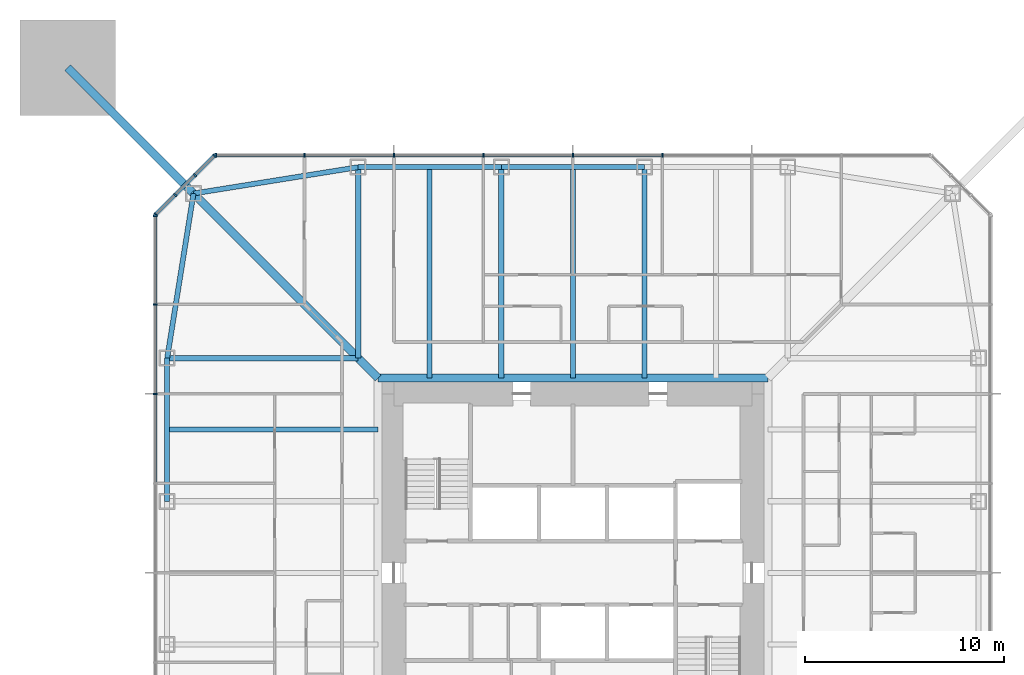
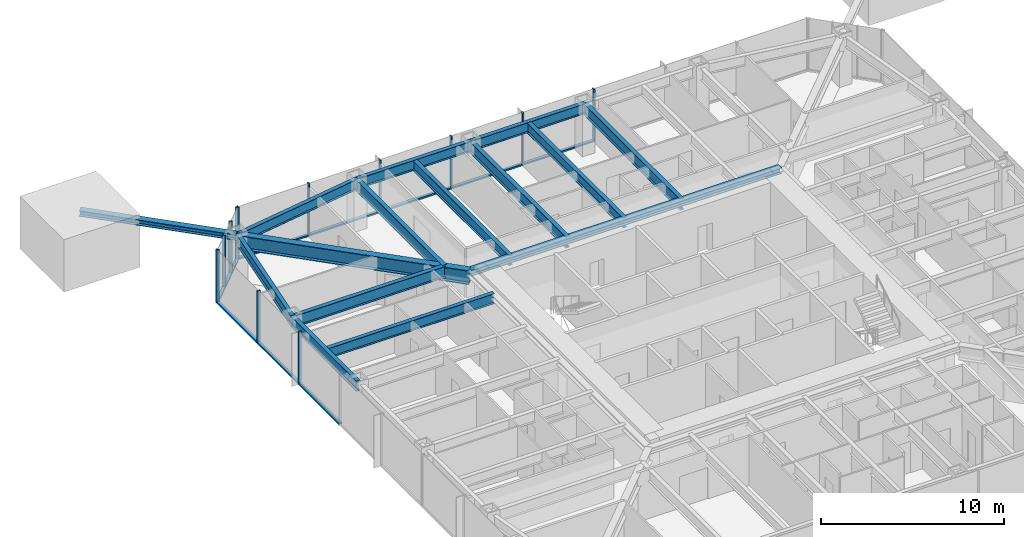
# One storey, part 4 of 14: 25 members, 14 beams, 3 elements without a shape of their own.
"""IFC4 building model written with IfcOpenShell, lengths in metres."""

from ifc_helpers import new_model, si_unit, direction, frame, origin, origin_2d, place, context, subcontext, project, spatial, rectangle, i_section, extrude, material, material_profile, profile_set, type_object, element, aggregate, save


model = new_model("IFC4")

# Units and contexts
model_context = context("Model", 3, precision=1e-05, world=origin(), true_north=direction((0.0, 1.0)))
body_context = subcontext(model_context, "Body", "Model", "MODEL_VIEW")
ifc_project = project(units=[si_unit("LENGTHUNIT", "METRE"), si_unit("AREAUNIT", "SQUARE_METRE"), si_unit("VOLUMEUNIT", "CUBIC_METRE"), si_unit("PLANEANGLEUNIT", "RADIAN"), si_unit("MASSUNIT", "GRAM", prefix="KILO")], contexts=[model_context])

# Site, building, storey
site_placement = place(None, origin())
site = spatial("IfcSite", under=ifc_project, at=site_placement, CompositionType="ELEMENT")
building_placement = place(site_placement, origin())
building = spatial("IfcBuilding", under=site, at=building_placement, Name="Iwan Alto Co-Living Towers", CompositionType="ELEMENT")
storey_placement = place(building_placement, frame((0.0, 0.0, 136.5)))
storey = spatial("IfcBuildingStorey", under=building, at=storey_placement, Name="L37", CompositionType="ELEMENT", Elevation=136.5)

# Curtain wall, members
ifc_material_1 = material(Name="Bronze aluminium unitised frame", Category="aluminium")
curtain_wall_type_1 = type_object("IfcCurtainWallType", Name="CURTAIN WALL CW-A", PredefinedType="NOTDEFINED", material=ifc_material_1)
curtain_wall_1_placement = place(storey_placement, origin())
curtain_wall_1 = element("IfcCurtainWall", 1, at=curtain_wall_1_placement, inside=storey, type_object=curtain_wall_type_1, Name="T1 curtain wall N L37", PredefinedType="NOTDEFINED")
ifc_material_2 = material(Name="Aluminium 6063-T6 bronze anodised", Category="aluminium")
ifc_material_profile_1 = material_profile(ifc_material_2, rectangle(XDim=0.199951171875, YDim=0.080078125, at=origin_2d()), Name="AL 80X200")
ifc_profile_set_1 = profile_set([ifc_material_profile_1], Name="Aluminium 6063-T6 bronze anodised")
member_type_1 = type_object("IfcMemberType", Name="CW-A MULLION 80X200", PredefinedType="MULLION", material=ifc_profile_set_1)
member_1_placement = place(storey_placement, frame((4.5, 21.0, 0.0), z_axis=(0.0, 0.0, 1.0), x_axis=(0.0, -1.0, 0.0)))
member_1 = element("IfcMember", 2, at=member_1_placement, type_object=member_type_1, Name="CW-A mullion 4", PredefinedType="MULLION", context=body_context, shape_type="SweptSolid", body=[
    extrude(rectangle(XDim=0.199951171875, YDim=0.080078125, at=origin_2d()), origin(), (0.0, 0.0, 1.0), 3.5),
])
member_2_placement = place(storey_placement, frame((0.0, 21.0, 0.0), z_axis=(0.0, 0.0, 1.0), x_axis=(0.0, -1.0, 0.0)))
member_2 = element("IfcMember", 3, at=member_2_placement, type_object=member_type_1, Name="CW-A mullion 5", PredefinedType="MULLION", context=body_context, shape_type="SweptSolid", body=[
    extrude(rectangle(XDim=0.199951171875, YDim=0.080078125, at=origin_2d()), origin(), (0.0, 0.0, 1.0), 3.5),
])
member_3_placement = place(storey_placement, frame((-4.5, 21.0, 0.0), z_axis=(0.0, 0.0, 1.0), x_axis=(0.0, -1.0, 0.0)))
member_3 = element("IfcMember", 4, at=member_3_placement, type_object=member_type_1, Name="CW-A mullion 6", PredefinedType="MULLION", context=body_context, shape_type="SweptSolid", body=[
    extrude(rectangle(XDim=0.199951171875, YDim=0.080078125, at=origin_2d()), origin(), (0.0, 0.0, 1.0), 3.5),
])
member_4_placement = place(storey_placement, frame((-9.0, 21.0, 0.0), z_axis=(0.0, 0.0, 1.0), x_axis=(0.0, -1.0, 0.0)))
member_4 = element("IfcMember", 5, at=member_4_placement, type_object=member_type_1, Name="CW-A mullion 7", PredefinedType="MULLION", context=body_context, shape_type="SweptSolid", body=[
    extrude(rectangle(XDim=0.199951171875, YDim=0.080078125, at=origin_2d()), origin(), (0.0, 0.0, 1.0), 3.5),
])
member_5_placement = place(storey_placement, frame((-13.5, 21.0, 0.0), z_axis=(0.0, 0.0, 1.0), x_axis=(0.0, -1.0, 0.0)))
member_5 = element("IfcMember", 6, at=member_5_placement, type_object=member_type_1, Name="CW-A mullion 8", PredefinedType="MULLION", context=body_context, shape_type="SweptSolid", body=[
    extrude(rectangle(XDim=0.199951171875, YDim=0.080078125, at=origin_2d()), origin(), (0.0, 0.0, 1.0), 3.5),
])
member_6_placement = place(storey_placement, frame((-17.9599609375, 21.0, 0.0), z_axis=(0.0, 0.0, 1.0), x_axis=(0.0, -1.0, 0.0)))
member_6 = element("IfcMember", 7, at=member_6_placement, type_object=member_type_1, Name="CW-A mullion 9", PredefinedType="MULLION", context=body_context, shape_type="SweptSolid", body=[
    extrude(rectangle(XDim=0.199951171875, YDim=0.080078125, at=origin_2d()), origin(), (0.0, 0.0, 1.0), 3.5),
])

curtain_wall_2_placement = place(storey_placement, origin())
curtain_wall_2 = element("IfcCurtainWall", 8, at=curtain_wall_2_placement, inside=storey, type_object=curtain_wall_type_1, Name="T1 curtain wall W L37", PredefinedType="NOTDEFINED")
member_7_placement = place(storey_placement, frame((-21.0, 17.9599609375, 0.0), z_axis=(0.0, 0.0, 1.0), x_axis=(1.0, 0.0, 0.0)))
member_7 = element("IfcMember", 9, at=member_7_placement, type_object=member_type_1, Name="CW-A mullion 1", PredefinedType="MULLION", context=body_context, shape_type="SweptSolid", body=[
    extrude(rectangle(XDim=0.199951171875, YDim=0.080078125, at=origin_2d()), origin(), (0.0, 0.0, 1.0), 3.5),
])
member_8_placement = place(storey_placement, frame((-21.0, 13.5, 0.0), z_axis=(0.0, 0.0, 1.0), x_axis=(1.0, 0.0, 0.0)))
member_8 = element("IfcMember", 10, at=member_8_placement, type_object=member_type_1, Name="CW-A mullion 2", PredefinedType="MULLION", context=body_context, shape_type="SweptSolid", body=[
    extrude(rectangle(XDim=0.199951171875, YDim=0.080078125, at=origin_2d()), origin(), (0.0, 0.0, 1.0), 3.5),
])
member_9_placement = place(storey_placement, frame((-21.0, 9.0, 0.0), z_axis=(0.0, 0.0, 1.0), x_axis=(1.0, 0.0, 0.0)))
member_9 = element("IfcMember", 11, at=member_9_placement, type_object=member_type_1, Name="CW-A mullion 3", PredefinedType="MULLION", context=body_context, shape_type="SweptSolid", body=[
    extrude(rectangle(XDim=0.199951171875, YDim=0.080078125, at=origin_2d()), origin(), (0.0, 0.0, 1.0), 3.5),
])

# Member
ifc_material_3 = material(Name="Aluminium 6063-T6 bronze anodised", Category="aluminium")
ifc_material_profile_2 = material_profile(ifc_material_3, rectangle(XDim=0.199951171875, YDim=0.10009765625, at=origin_2d()), Name="AL 200X100")
ifc_profile_set_2 = profile_set([ifc_material_profile_2], Name="Aluminium 6063-T6 bronze anodised")
member_type_2 = type_object("IfcMemberType", Name="CW-A TRANSOM 200X100", PredefinedType="USERDEFINED", material=ifc_profile_set_2)
member_10_placement = place(storey_placement, frame((4.4599609375, 21.0, 0.050048828125), z_axis=(-1.0, 0.0, 0.0), x_axis=(0.0, -1.0, 0.0)))
member_10 = element("IfcMember", 12, at=member_10_placement, type_object=member_type_2, Name="CW-A transom 4.1", ObjectType="TRANSOM", PredefinedType="USERDEFINED", context=body_context, shape_type="SweptSolid", body=[
    extrude(rectangle(XDim=0.199951171875, YDim=0.10009765625, at=origin_2d()), origin(), (0.0, 0.0, 1.0), 4.419921875),
])

member_11_placement = place(storey_placement, frame((-0.0400390625, 21.0, 0.050048828125), z_axis=(-1.0, 0.0, 0.0), x_axis=(0.0, -1.0, 0.0)))
member_11 = element("IfcMember", 13, at=member_11_placement, type_object=member_type_2, Name="CW-A transom 5.1", ObjectType="TRANSOM", PredefinedType="USERDEFINED", context=body_context, shape_type="SweptSolid", body=[
    extrude(rectangle(XDim=0.199951171875, YDim=0.10009765625, at=origin_2d()), origin(), (0.0, 0.0, 1.0), 4.419921875),
])

member_12_placement = place(storey_placement, frame((-4.5400390625, 21.0, 0.050048828125), z_axis=(-1.0, 0.0, 0.0), x_axis=(0.0, -1.0, 0.0)))
member_12 = element("IfcMember", 14, at=member_12_placement, type_object=member_type_2, Name="CW-A transom 6.1", ObjectType="TRANSOM", PredefinedType="USERDEFINED", context=body_context, shape_type="SweptSolid", body=[
    extrude(rectangle(XDim=0.199951171875, YDim=0.10009765625, at=origin_2d()), origin(), (0.0, 0.0, 1.0), 4.419921875),
])

member_13_placement = place(storey_placement, frame((-9.0400390625, 21.0, 0.050048828125), z_axis=(-1.0, 0.0, 0.0), x_axis=(0.0, -1.0, 0.0)))
member_13 = element("IfcMember", 15, at=member_13_placement, type_object=member_type_2, Name="CW-A transom 7.1", ObjectType="TRANSOM", PredefinedType="USERDEFINED", context=body_context, shape_type="SweptSolid", body=[
    extrude(rectangle(XDim=0.199951171875, YDim=0.10009765625, at=origin_2d()), origin(), (0.0, 0.0, 1.0), 4.419921875),
])

member_14_placement = place(storey_placement, frame((-13.5400390625, 21.0, 0.050048828125), z_axis=(-1.0, 0.0, 0.0), x_axis=(0.0, -1.0, 0.0)))
member_14 = element("IfcMember", 16, at=member_14_placement, type_object=member_type_2, Name="CW-A transom 8.1", ObjectType="TRANSOM", PredefinedType="USERDEFINED", context=body_context, shape_type="SweptSolid", body=[
    extrude(rectangle(XDim=0.199951171875, YDim=0.10009765625, at=origin_2d()), origin(), (0.0, 0.0, 1.0), 4.3798828125),
])

aggregate(curtain_wall_1, [member_1, member_2, member_3, member_4, member_5, member_6, member_10, member_11, member_12, member_13, member_14])

member_15_placement = place(storey_placement, frame((-21.0, 17.919921875, 0.050048828125), z_axis=(0.0, -1.0, 0.0), x_axis=(1.0, 0.0, 0.0)))
member_15 = element("IfcMember", 17, at=member_15_placement, type_object=member_type_2, Name="CW-A transom 1.1", ObjectType="TRANSOM", PredefinedType="USERDEFINED", context=body_context, shape_type="SweptSolid", body=[
    extrude(rectangle(XDim=0.199951171875, YDim=0.10009765625, at=origin_2d()), origin(), (0.0, 0.0, 1.0), 4.3798828125),
])

member_16_placement = place(storey_placement, frame((-21.0, 13.4599609375, 0.050048828125), z_axis=(0.0, -1.0, 0.0), x_axis=(1.0, 0.0, 0.0)))
member_16 = element("IfcMember", 18, at=member_16_placement, type_object=member_type_2, Name="CW-A transom 2.1", ObjectType="TRANSOM", PredefinedType="USERDEFINED", context=body_context, shape_type="SweptSolid", body=[
    extrude(rectangle(XDim=0.199951171875, YDim=0.10009765625, at=origin_2d()), origin(), (0.0, 0.0, 1.0), 4.419921875),
])

member_17_placement = place(storey_placement, frame((-21.0, 8.9599609375, 0.050048828125), z_axis=(0.0, -1.0, 0.0), x_axis=(1.0, 0.0, 0.0)))
member_17 = element("IfcMember", 19, at=member_17_placement, type_object=member_type_2, Name="CW-A transom 3.1", ObjectType="TRANSOM", PredefinedType="USERDEFINED", context=body_context, shape_type="SweptSolid", body=[
    extrude(rectangle(XDim=0.199951171875, YDim=0.10009765625, at=origin_2d()), origin(), (0.0, 0.0, 1.0), 4.419921875),
])

aggregate(curtain_wall_2, [member_7, member_8, member_9, member_15, member_16, member_17])

# Curtain wall, members
ifc_material_4 = material(Name="Bronze aluminium unitised frame", Category="aluminium")
curtain_wall_type_2 = type_object("IfcCurtainWallType", Name="CURTAIN WALL CW-B", PredefinedType="NOTDEFINED", material=ifc_material_4)
curtain_wall_3_placement = place(storey_placement, origin())
curtain_wall_3 = element("IfcCurtainWall", 20, at=curtain_wall_3_placement, inside=storey, type_object=curtain_wall_type_2, Name="T1 chamfer curtain wall NW L37", PredefinedType="NOTDEFINED")
ifc_material_5 = material(Name="Aluminium 6063-T6 bronze anodised", Category="aluminium")
ifc_material_profile_3 = material_profile(ifc_material_5, rectangle(XDim=0.199951171875, YDim=0.080078125, at=origin_2d()), Name="AL 80X200")
ifc_profile_set_3 = profile_set([ifc_material_profile_3], Name="Aluminium 6063-T6 bronze anodised")
member_type_3 = type_object("IfcMemberType", Name="CW-B MULLION 80X200", PredefinedType="MULLION", material=ifc_profile_set_3)
member_18_placement = place(storey_placement, frame((-18.0283203125, 20.9716796875, 0.0), z_axis=(0.0, 0.0, 1.0), x_axis=(0.707106781187, -0.707106781187, 0.0)))
member_18 = element("IfcMember", 21, at=member_18_placement, type_object=member_type_3, Name="CW-B mullion 1", PredefinedType="MULLION", context=body_context, shape_type="SweptSolid", body=[
    extrude(rectangle(XDim=0.199951171875, YDim=0.080078125, at=origin_2d()), origin(), (0.0, 0.0, 1.0), 3.5),
])
member_19_placement = place(storey_placement, frame((-19.0, 20.0, 0.0), z_axis=(0.0, 0.0, 1.0), x_axis=(0.707106781187, -0.707106781187, 0.0)))
member_19 = element("IfcMember", 22, at=member_19_placement, type_object=member_type_3, Name="CW-B mullion 2", PredefinedType="MULLION", context=body_context, shape_type="SweptSolid", body=[
    extrude(rectangle(XDim=0.199951171875, YDim=0.080078125, at=origin_2d()), origin(), (0.0, 0.0, 1.0), 3.5),
])
member_20_placement = place(storey_placement, frame((-20.0, 19.0, 0.0), z_axis=(0.0, 0.0, 1.0), x_axis=(0.707106781187, -0.707106781187, 0.0)))
member_20 = element("IfcMember", 23, at=member_20_placement, type_object=member_type_3, Name="CW-B mullion 3", PredefinedType="MULLION", context=body_context, shape_type="SweptSolid", body=[
    extrude(rectangle(XDim=0.199951171875, YDim=0.080078125, at=origin_2d()), origin(), (0.0, 0.0, 1.0), 3.5),
])
member_21_placement = place(storey_placement, frame((-20.9716796875, 18.0283203125, 0.0), z_axis=(0.0, 0.0, 1.0), x_axis=(0.707106781187, -0.707106781187, 0.0)))
member_21 = element("IfcMember", 24, at=member_21_placement, type_object=member_type_3, Name="CW-B mullion 4", PredefinedType="MULLION", context=body_context, shape_type="SweptSolid", body=[
    extrude(rectangle(XDim=0.199951171875, YDim=0.080078125, at=origin_2d()), origin(), (0.0, 0.0, 1.0), 3.5),
])
ifc_material_6 = material(Name="Aluminium 6063-T6 bronze anodised", Category="aluminium")
ifc_material_profile_4 = material_profile(ifc_material_6, rectangle(XDim=0.199951171875, YDim=0.10009765625, at=origin_2d()), Name="AL 200X100")
ifc_profile_set_4 = profile_set([ifc_material_profile_4], Name="Aluminium 6063-T6 bronze anodised")
member_type_4 = type_object("IfcMemberType", Name="CW-B TRANSOM 200X100", PredefinedType="USERDEFINED", material=ifc_profile_set_4)
member_22_placement = place(storey_placement, frame((-18.056640625, 20.943359375, 0.050048828125), z_axis=(-0.707106781187, -0.707106781187, 0.0), x_axis=(0.707106781187, -0.707106781187, 0.0)))
member_22 = element("IfcMember", 25, at=member_22_placement, type_object=member_type_4, Name="CW-B transom 1.1", ObjectType="TRANSOM", PredefinedType="USERDEFINED", context=body_context, shape_type="SweptSolid", body=[
    extrude(rectangle(XDim=0.199951171875, YDim=0.10009765625, at=origin_2d()), origin(), (0.0, 0.0, 1.0), 1.2939453125),
])
member_23_placement = place(storey_placement, frame((-19.0283203125, 19.9716796875, 0.050048828125), z_axis=(-0.707106781187, -0.707106781187, 0.0), x_axis=(0.707106781187, -0.707106781187, 0.0)))
member_23 = element("IfcMember", 26, at=member_23_placement, type_object=member_type_4, Name="CW-B transom 2.1", ObjectType="TRANSOM", PredefinedType="USERDEFINED", context=body_context, shape_type="SweptSolid", body=[
    extrude(rectangle(XDim=0.199951171875, YDim=0.10009765625, at=origin_2d()), origin(), (0.0, 0.0, 1.0), 1.334228515625),
])
member_24_placement = place(storey_placement, frame((-20.0283203125, 18.9716796875, 0.050048828125), z_axis=(-0.707106781187, -0.707106781187, 0.0), x_axis=(0.707106781187, -0.707106781187, 0.0)))
member_24 = element("IfcMember", 27, at=member_24_placement, type_object=member_type_4, Name="CW-B transom 3.1", ObjectType="TRANSOM", PredefinedType="USERDEFINED", context=body_context, shape_type="SweptSolid", body=[
    extrude(rectangle(XDim=0.199951171875, YDim=0.10009765625, at=origin_2d()), origin(), (0.0, 0.0, 1.0), 1.2939453125),
])
aggregate(curtain_wall_3, [member_18, member_19, member_20, member_21, member_22, member_23, member_24])

# Beams
ifc_material_7 = material(Name="Steel ASTM A992 Gr 50", Category="steel")
ifc_material_profile_5 = material_profile(ifc_material_7, i_section(OverallWidth=0.398681640625, OverallDepth=0.385986328125, WebThickness=0.02099609375, FlangeThickness=0.033203125, at=origin_2d()), Name="W14X176")
ifc_profile_set_5 = profile_set([ifc_material_profile_5], Name="Steel ASTM A992 Gr 50")
beam_type_1 = type_object("IfcBeamType", Name="T1 CORE LEDGER BEAM W14X176", PredefinedType="BEAM", material=ifc_profile_set_5)
beam_1_placement = place(storey_placement, frame((9.79931640625, 9.79931640625, 3.076904296875), z_axis=(-1.0, 0.0, 0.0), x_axis=(0.0, -1.0, 0.0)))
element("IfcBeam", 28, at=beam_1_placement, inside=storey, type_object=beam_type_1, Name="T1 core ledger beam N L38", PredefinedType="BEAM", context=body_context, shape_type="SweptSolid", body=[
    extrude(i_section(OverallWidth=0.398681640625, OverallDepth=0.385986328125, WebThickness=0.02099609375, FlangeThickness=0.033203125, at=origin_2d()), origin(), (0.0, 0.0, 1.0), 19.5986328125),
])
ifc_material_8 = material(Name="Steel ASTM A992 Gr 50", Category="steel")
ifc_material_profile_6 = material_profile(ifc_material_8, i_section(OverallWidth=0.419189453125, OverallDepth=0.927001953125, WebThickness=0.019287109375, FlangeThickness=0.031982421875, at=origin_2d()), Name="W36X231")
ifc_profile_set_6 = profile_set([ifc_material_profile_6], Name="Steel ASTM A992 Gr 50")
beam_type_2 = type_object("IfcBeamType", Name="T1 CORNER GIRDER W36X231", PredefinedType="BEAM", material=ifc_profile_set_6)
beam_2_placement = place(storey_placement, frame((-19.07568359375, 19.07568359375, 2.806396484375), z_axis=(0.707106781187, -0.707106781187, 0.0), x_axis=(0.707106781187, 0.707106781187, 0.0)))
element("IfcBeam", 29, at=beam_2_placement, inside=storey, type_object=beam_type_2, Name="T1 corner girder CNW L38", PredefinedType="BEAM", context=body_context, shape_type="SweptSolid", body=[
    extrude(i_section(OverallWidth=0.419189453125, OverallDepth=0.927001953125, WebThickness=0.019287109375, FlangeThickness=0.031982421875, at=origin_2d()), origin(), (0.0, 0.0, 1.0), 13.11865234375),
])
ifc_material_9 = material(Name="Steel ASTM A992 Gr 50", Category="steel")
ifc_material_profile_7 = material_profile(ifc_material_9, i_section(OverallWidth=0.25390625, OverallDepth=0.683349609375, WebThickness=0.012451171875, FlangeThickness=0.018798828125, at=origin_2d()), Name="W27X94")
ifc_profile_set_7 = profile_set([ifc_material_profile_7], Name="Steel ASTM A992 Gr 50")
beam_type_3 = type_object("IfcBeamType", Name="T1 EDGE BEAM W27X94", PredefinedType="BEAM", material=ifc_profile_set_7)
beam_3_placement = place(storey_placement, frame((3.60009765625, 20.39990234375, 2.928466796875), z_axis=(-1.0, 0.0, 0.0), x_axis=(0.0, -1.0, 0.0)))
element("IfcBeam", 30, at=beam_3_placement, inside=storey, type_object=beam_type_3, Name="T1 edge beam N2 L38", PredefinedType="BEAM", context=body_context, shape_type="SweptSolid", body=[
    extrude(i_section(OverallWidth=0.25390625, OverallDepth=0.683349609375, WebThickness=0.012451171875, FlangeThickness=0.018798828125, at=origin_2d()), origin(), (0.0, 0.0, 1.0), 7.2001953125),
])
beam_4_placement = place(storey_placement, frame((-3.60009765625, 20.39990234375, 2.928466796875), z_axis=(-1.0, 0.0, 0.0), x_axis=(0.0, -1.0, 0.0)))
element("IfcBeam", 31, at=beam_4_placement, inside=storey, type_object=beam_type_3, Name="T1 edge beam N3 L38", PredefinedType="BEAM", context=body_context, shape_type="SweptSolid", body=[
    extrude(i_section(OverallWidth=0.25390625, OverallDepth=0.683349609375, WebThickness=0.012451171875, FlangeThickness=0.018798828125, at=origin_2d()), origin(), (0.0, 0.0, 1.0), 7.199951171875),
])
for number, where, z_axis, x_axis, name in (
    (32, (-10.800048828125, 20.39990234375, 2.928466796875), (-0.987438450439, -0.158004134737, 0.0), (0.158004134737, -0.987438450439, 0.0), "T1 edge beam N4 L38"),
    (33, (-19.07568359375, 19.07568359375, 2.928466796875), (-0.158004134737, -0.987438450439, 0.0), (0.987438450439, -0.158004134737, 0.0), "T1 edge beam CNW L38"),
):
    element("IfcBeam", number, at=place(storey_placement, frame(where, z_axis=z_axis, x_axis=x_axis)), inside=storey, type_object=beam_type_3, Name=name, PredefinedType="BEAM", context=body_context, shape_type="SweptSolid", body=[
        extrude(i_section(OverallWidth=0.25390625, OverallDepth=0.683349609375, WebThickness=0.012451171875, FlangeThickness=0.018798828125, at=origin_2d()), origin(), (0.0, 0.0, 1.0), 8.380859375),
    ])
beam_5_placement = place(storey_placement, frame((-20.39990234375, 10.800048828125, 2.928466796875), z_axis=(0.0, -1.0, 0.0), x_axis=(1.0, 0.0, 0.0)))
element("IfcBeam", 34, at=beam_5_placement, inside=storey, type_object=beam_type_3, Name="T1 edge beam W1 L38", PredefinedType="BEAM", context=body_context, shape_type="SweptSolid", body=[
    extrude(i_section(OverallWidth=0.25390625, OverallDepth=0.683349609375, WebThickness=0.012451171875, FlangeThickness=0.018798828125, at=origin_2d()), origin(), (0.0, 0.0, 1.0), 7.199951171875),
])

# Member
ifc_material_10 = material(Name="Steel ASTM A992 Gr 50", Category="steel")
ifc_material_profile_8 = material_profile(ifc_material_10, i_section(OverallWidth=0.393798828125, OverallDepth=0.3759765625, WebThickness=0.017333984375, FlangeThickness=0.027587890625, at=origin_2d()), Name="W14X145")
ifc_profile_set_8 = profile_set([ifc_material_profile_8], Name="Steel ASTM A992 Gr 50")
member_type_5 = type_object("IfcMemberType", Name="T1 MEGA COLUMN FLOOR TIE W14X145", PredefinedType="STRUT", material=ifc_profile_set_8)
member_25_placement = place(storey_placement, frame((-25.39990234375, 25.39990234375, 3.08203125), z_axis=(0.707106781187, -0.707106781187, 0.0), x_axis=(0.707106781187, 0.707106781187, 0.0)))
element("IfcMember", 35, at=member_25_placement, inside=storey, type_object=member_type_5, Name="T1 mega column floor tie NW L38", PredefinedType="STRUT", context=body_context, shape_type="SweptSolid", body=[
    extrude(i_section(OverallWidth=0.393798828125, OverallDepth=0.3759765625, WebThickness=0.017333984375, FlangeThickness=0.027587890625, at=origin_2d()), origin(), (0.0, 0.0, 1.0), 8.94384765625),
])

# Beams
ifc_material_11 = material(Name="Steel ASTM A992 Gr 50", Category="steel")
ifc_material_profile_9 = material_profile(ifc_material_11, i_section(OverallWidth=0.2666015625, OverallDepth=0.761962890625, WebThickness=0.014404296875, FlangeThickness=0.021484375, at=origin_2d()), Name="W30X116")
ifc_profile_set_9 = profile_set([ifc_material_profile_9], Name="Steel ASTM A992 Gr 50")
beam_type_4 = type_object("IfcBeamType", Name="T1 RADIAL BEAM W30X116", PredefinedType="BEAM", material=ifc_profile_set_9)
for number, where, z_axis, x_axis, name in (
    (36, (3.60009765625, 20.39990234375, 2.888916015625), (0.0, -1.0, 0.0), (1.0, 0.0, 0.0), "T1 radial beam N2 L38"),
    (37, (-3.60009765625, 20.39990234375, 2.888916015625), (0.0, -1.0, 0.0), (1.0, 0.0, 0.0), "T1 radial beam N3 L38"),
):
    element("IfcBeam", number, at=place(storey_placement, frame(where, z_axis=z_axis, x_axis=x_axis)), inside=storey, type_object=beam_type_4, Name=name, PredefinedType="BEAM", context=body_context, shape_type="SweptSolid", body=[
        extrude(i_section(OverallWidth=0.2666015625, OverallDepth=0.761962890625, WebThickness=0.014404296875, FlangeThickness=0.021484375, at=origin_2d()), origin(), (0.0, 0.0, 1.0), 10.6005859375),
    ])
for number, where, z_axis, x_axis, name in (
    (38, (-10.800048828125, 20.39990234375, 2.888916015625), (0.0, -1.0, 0.0), (1.0, 0.0, 0.0), "T1 radial beam N4 L38"),
    (39, (-20.39990234375, 10.800048828125, 2.888916015625), (1.0, 0.0, 0.0), (0.0, 1.0, 0.0), "T1 radial beam W1 L38"),
):
    element("IfcBeam", number, at=place(storey_placement, frame(where, z_axis=z_axis, x_axis=x_axis)), inside=storey, type_object=beam_type_4, Name=name, PredefinedType="BEAM", context=body_context, shape_type="SweptSolid", body=[
        extrude(i_section(OverallWidth=0.2666015625, OverallDepth=0.761962890625, WebThickness=0.014404296875, FlangeThickness=0.021484375, at=origin_2d()), origin(), (0.0, 0.0, 1.0), 9.599853515625),
    ])
ifc_material_12 = material(Name="Steel ASTM A992 Gr 50", Category="steel")
ifc_material_profile_10 = material_profile(ifc_material_12, i_section(OverallWidth=0.25390625, OverallDepth=0.683349609375, WebThickness=0.012451171875, FlangeThickness=0.018798828125, at=origin_2d()), Name="W27X94")
ifc_profile_set_10 = profile_set([ifc_material_profile_10], Name="Steel ASTM A992 Gr 50")
beam_type_5 = type_object("IfcBeamType", Name="T1 SECONDARY BEAM W27X94", PredefinedType="JOIST", material=ifc_profile_set_10)
for number, where, z_axis, x_axis, name in (
    (40, (0.0, 20.39990234375, 2.928466796875), (0.0, -1.0, 0.0), (1.0, 0.0, 0.0), "T1 secondary beam N2 L38"),
    (41, (-7.199951171875, 20.39990234375, 2.928466796875), (0.0, -1.0, 0.0), (1.0, 0.0, 0.0), "T1 secondary beam N3 L38"),
    (42, (-20.39990234375, 7.199951171875, 2.928466796875), (1.0, 0.0, 0.0), (0.0, 1.0, 0.0), "T1 secondary beam W1 L38"),
):
    element("IfcBeam", number, at=place(storey_placement, frame(where, z_axis=z_axis, x_axis=x_axis)), inside=storey, type_object=beam_type_5, Name=name, PredefinedType="JOIST", context=body_context, shape_type="SweptSolid", body=[
        extrude(i_section(OverallWidth=0.25390625, OverallDepth=0.683349609375, WebThickness=0.012451171875, FlangeThickness=0.018798828125, at=origin_2d()), origin(), (0.0, 0.0, 1.0), 10.6005859375),
    ])

save(model, "model.ifc")
